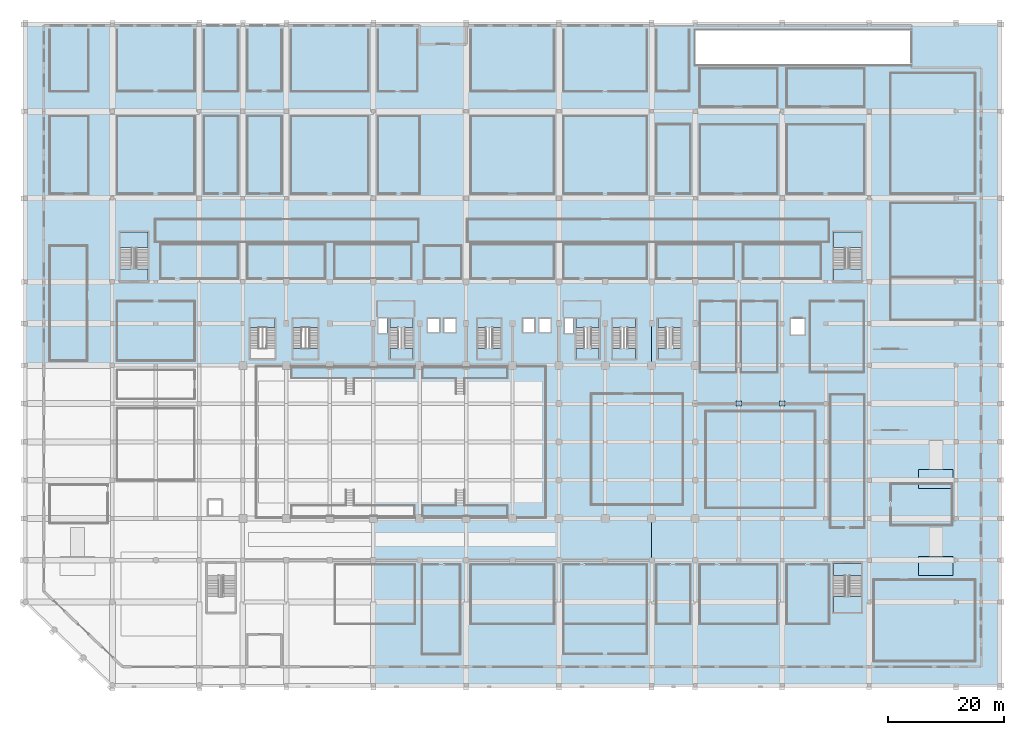
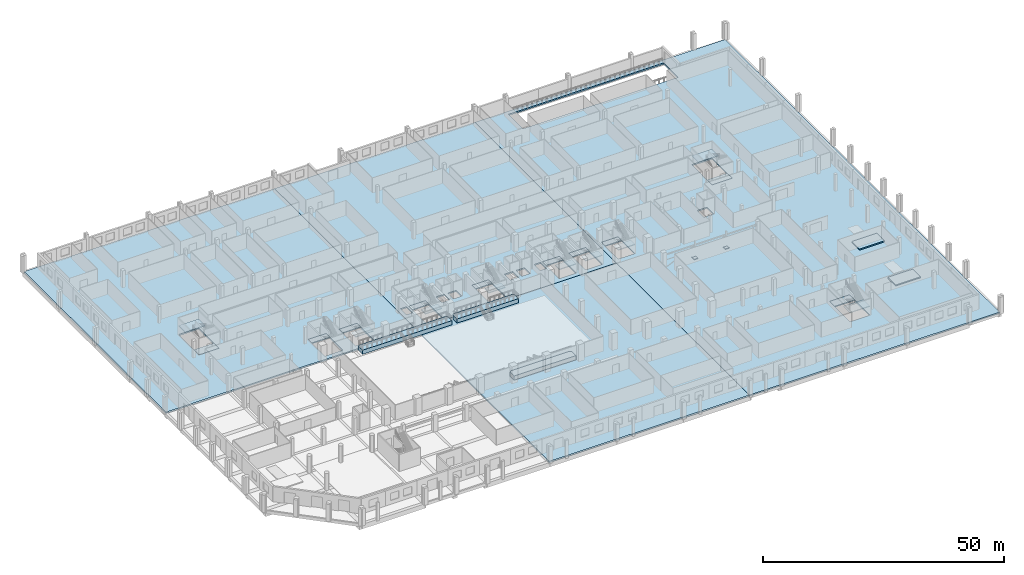
# One storey, part 9 of 33: 28 slabs, 2 plates, 9 elements without a shape of their own.
"""IFC4 building model written with IfcOpenShell, lengths in metres."""

from ifc_helpers import new_model, si_unit, direction, frame, origin, origin_2d, place, context, subcontext, project, spatial, polyline, rectangle, outline, extrude, material, layer, layer_set, type_object, element, aggregate, save


model = new_model("IFC4")

# Units and contexts
model_context = context("Model", 3, precision=1e-05, world=origin(), true_north=direction((0.0, 1.0)))
body_context = subcontext(model_context, "Body", "Model", "MODEL_VIEW")
ifc_project = project(units=[si_unit("LENGTHUNIT", "METRE"), si_unit("AREAUNIT", "SQUARE_METRE"), si_unit("VOLUMEUNIT", "CUBIC_METRE"), si_unit("PLANEANGLEUNIT", "RADIAN"), si_unit("MASSUNIT", "GRAM", prefix="KILO")], contexts=[model_context])

# Site, building, storey
site_placement = place(None, origin())
site = spatial("IfcSite", under=ifc_project, at=site_placement, CompositionType="ELEMENT")
building_placement = place(site_placement, origin())
building = spatial("IfcBuilding", under=site, at=building_placement, Name="Akrevak Sports Hall", CompositionType="ELEMENT")
storey_placement = place(building_placement, origin())
storey = spatial("IfcBuildingStorey", under=building, at=storey_placement, Name="L00", CompositionType="ELEMENT", Elevation=0.0)

# Plates
ifc_material_1 = material(Name="Steel S355", Category="steel")
ifc_layer_1 = layer(ifc_material_1, 0.044921875, Name="Steel S355")
ifc_layer_set_1 = layer_set([ifc_layer_1], Name="Steel S355")
plate_type = type_object("IfcPlateType", Name="STR-PLT-BASE-45", PredefinedType="SHEET", material=ifc_layer_set_1)
for number, where, z_axis, x_axis, name in (
    (1, (123.0, 48.60009765625, 0.0), (0.0, 0.0, 1.0), (1.0, 0.0, 0.0), "Climbing Column Base Plate PL-B1-1"),
    (2, (130.5, 48.60009765625, 0.0), (0.0, 0.0, 1.0), (1.0, 0.0, 0.0), "Climbing Column Base Plate PL-B1-2"),
):
    element("IfcPlate", number, at=place(storey_placement, frame(where, z_axis=z_axis, x_axis=x_axis)), inside=storey, type_object=plate_type, Name=name, PredefinedType="SHEET", context=body_context, shape_type="SweptSolid", body=[
        extrude(rectangle(XDim=0.89990234375, YDim=0.89990234375, at=origin_2d()), origin(), (0.0, 0.0, 1.0), 0.044921875),
    ])

# Slabs
ifc_material_2 = material(Name="Concrete C40/50", Category="concrete")
ifc_layer_2 = layer(ifc_material_2, 0.280029296875, Name="Concrete C40/50")
ifc_layer_set_2 = layer_set([ifc_layer_2], Name="Concrete C40/50")
slab_type_1 = type_object("IfcSlabType", Name="STR-SLB-FLR-280", PredefinedType="FLOOR", material=ifc_layer_set_2)
slab_1_placement = place(storey_placement, origin())
element("IfcSlab", 3, at=slab_1_placement, inside=storey, type_object=slab_type_1, Name="East Concourse Accessible Viewing Platform 2", PredefinedType="FLOOR", context=body_context, shape_type="SweptSolid", body=[
    extrude(outline(polyline([(154.0, 19.0), (160.0, 19.0), (160.0, 22.199951171875), (154.0, 22.199951171875), (154.0, 19.0)])), origin(), (0.0, 0.0, 1.0), 0.280029296875),
])
slab_2_placement = place(storey_placement, origin())
element("IfcSlab", 4, at=slab_2_placement, inside=storey, type_object=slab_type_1, Name="Climbing Concourse Accessible Viewing Platform 3", PredefinedType="FLOOR", context=body_context, shape_type="SweptSolid", body=[
    extrude(outline(polyline([(154.0, 34.0), (160.0, 34.0), (160.0, 37.199951171875), (154.0, 37.199951171875), (154.0, 34.0)])), origin(), (0.0, 0.0, 1.0), 0.280029296875),
])
ifc_layer_3 = layer(ifc_material_2, 0.35009765625, Name="Concrete C40/50")
ifc_layer_set_3 = layer_set([ifc_layer_3], Name="Concrete C40/50")
slab_type_2 = type_object("IfcSlabType", Name="STR-SLB-FLR-350", PredefinedType="FLOOR", material=ifc_layer_set_3)
slab_3_placement = place(storey_placement, frame((0.0, 0.0, -0.35009765625)))
element("IfcSlab", 5, at=slab_3_placement, inside=storey, type_object=slab_type_2, Name="Structural Floor Slab L00-2.1", PredefinedType="FLOOR", context=body_context, shape_type="SweptSolid", body=[
    extrude(outline(polyline([(0.0, 55.199951171875), (60.0, 55.199951171875), (60.0, 114.0), (0.0, 114.0), (0.0, 55.199951171875)]), holes=[polyline([(43.050048828125, 63.25), (43.050048828125, 56.300048828125), (38.75, 56.300048828125), (38.75, 63.25), (43.050048828125, 63.25)]), polyline([(50.449951171875, 56.300048828125), (46.14990234375, 56.300048828125), (46.14990234375, 63.25), (50.449951171875, 63.25), (50.449951171875, 56.300048828125)]), polyline([(21.14990234375, 69.75), (16.35009765625, 69.75), (16.35009765625, 78.199951171875), (21.14990234375, 78.199951171875), (21.14990234375, 69.75)])]), origin(), (0.0, 0.0, 1.0), 0.35009765625),
])
slab_4_placement = place(storey_placement, frame((0.0, 0.0, -0.35009765625)))
element("IfcSlab", 6, at=slab_4_placement, inside=storey, type_object=slab_type_2, Name="Structural Floor Slab L00-3.1", PredefinedType="FLOOR", context=body_context, shape_type="SweptSolid", body=[
    extrude(outline(polyline([(108.0, 0.0), (108.0, 55.199951171875), (60.0, 55.199951171875), (60.0, 0.0), (108.0, 0.0)])), origin(), (0.0, 0.0, 1.0), 0.35009765625),
])
slab_5_placement = place(storey_placement, frame((0.0, 0.0, -0.35009765625)))
element("IfcSlab", 7, at=slab_5_placement, inside=storey, type_object=slab_type_2, Name="Structural Floor Slab L00-4.1", PredefinedType="FLOOR", context=body_context, shape_type="SweptSolid", body=[
    extrude(outline(polyline([(60.0, 114.0), (60.0, 55.199951171875), (108.0, 55.199951171875), (108.0, 114.0), (60.0, 114.0)]), holes=[polyline([(66.85009765625, 56.300048828125), (62.85009765625, 56.300048828125), (62.85009765625, 63.25), (66.85009765625, 63.25), (66.85009765625, 56.300048828125)]), polyline([(82.0, 63.25), (82.0, 56.300048828125), (78.0, 56.300048828125), (78.0, 63.25), (82.0, 63.25)]), polyline([(62.3798828125, 63.280029296875), (62.3798828125, 60.77001953125), (60.8701171875, 60.77001953125), (60.8701171875, 63.280029296875), (62.3798828125, 63.280029296875)]), polyline([(71.3798828125, 63.280029296875), (71.3798828125, 60.919921875), (69.419921875, 60.919921875), (69.419921875, 63.280029296875), (71.3798828125, 63.280029296875)]), polyline([(74.179931640625, 60.919921875), (72.219970703125, 60.919921875), (72.219970703125, 63.280029296875), (74.179931640625, 63.280029296875), (74.179931640625, 60.919921875)]), polyline([(98.949951171875, 63.25), (98.949951171875, 56.300048828125), (94.949951171875, 56.300048828125), (94.949951171875, 63.25), (98.949951171875, 63.25)]), polyline([(105.25, 63.25), (105.25, 56.300048828125), (101.25, 56.300048828125), (101.25, 63.25), (105.25, 63.25)]), polyline([(94.47998046875, 63.280029296875), (94.47998046875, 60.77001953125), (92.969970703125, 60.77001953125), (92.969970703125, 63.280029296875), (94.47998046875, 63.280029296875)]), polyline([(87.780029296875, 63.280029296875), (87.780029296875, 60.919921875), (85.820068359375, 60.919921875), (85.820068359375, 63.280029296875), (87.780029296875, 63.280029296875)]), polyline([(90.580078125, 63.280029296875), (90.580078125, 60.919921875), (88.6201171875, 60.919921875), (88.6201171875, 63.280029296875), (90.580078125, 63.280029296875)])]), origin(), (0.0, 0.0, 1.0), 0.35009765625),
])
slab_6_placement = place(storey_placement, frame((0.0, 0.0, -0.35009765625)))
element("IfcSlab", 8, at=slab_6_placement, inside=storey, type_object=slab_type_2, Name="Structural Floor Slab L00-5.1", PredefinedType="FLOOR", context=body_context, shape_type="SweptSolid", body=[
    extrude(outline(polyline([(108.0, 114.0), (108.0, 0.0), (168.0, 0.0), (168.0, 114.0), (108.0, 114.0)]), holes=[polyline([(144.14990234375, 21.050048828125), (144.14990234375, 12.60009765625), (139.35009765625, 12.60009765625), (139.35009765625, 21.050048828125), (144.14990234375, 21.050048828125)]), polyline([(113.050048828125, 56.300048828125), (109.050048828125, 56.300048828125), (109.050048828125, 63.25), (113.050048828125, 63.25), (113.050048828125, 56.300048828125)]), polyline([(134.3798828125, 60.52001953125), (132.02001953125, 60.52001953125), (132.02001953125, 63.280029296875), (134.3798828125, 63.280029296875), (134.3798828125, 60.52001953125)]), polyline([(144.14990234375, 69.75), (139.35009765625, 69.75), (139.35009765625, 78.199951171875), (144.14990234375, 78.199951171875), (144.14990234375, 69.75)]), polyline([(152.64990234375, 107.0), (115.5, 107.0), (115.5, 113.0), (152.64990234375, 113.0), (152.64990234375, 107.0)])]), origin(), (0.0, 0.0, 1.0), 0.35009765625),
])

# Stair, slab
stair_type_1 = type_object("IfcStairType", Name="ARC-STR-DOG-460", PredefinedType="HALF_TURN_STAIR", material=ifc_material_2)
stair_1_placement = place(storey_placement, origin())
stair_1 = element("IfcStair", 9, at=stair_1_placement, inside=storey, type_object=stair_type_1, Name="Protected Exit Stair ST1 (L00 to L01)", PredefinedType="HALF_TURN_STAIR")
ifc_layer_4 = layer(ifc_material_2, 0.199951171875, Name="Concrete C40/50")
ifc_layer_set_4 = layer_set([ifc_layer_4], Name="Concrete C40/50")
slab_type_3 = type_object("IfcSlabType", Name="STR-SLB-LAND-200", PredefinedType="LANDING", material=ifc_layer_set_4)
slab_7_placement = place(storey_placement, frame((0.0, 0.0, 2.10009765625)))
slab_7 = element("IfcSlab", 10, at=slab_7_placement, type_object=slab_type_3, Name="Stair ST1 Half-Landing 1 (L00)", PredefinedType="LANDING", context=body_context, shape_type="SweptSolid", body=[
    extrude(outline(polyline([(62.85009765625, 56.300048828125), (66.85009765625, 56.300048828125), (66.85009765625, 58.094970703125), (62.85009765625, 58.094970703125), (62.85009765625, 56.300048828125)])), origin(), (0.0, 0.0, 1.0), 0.199951171875),
])
aggregate(stair_1, [slab_7])

stair_2_placement = place(storey_placement, origin())
stair_2 = element("IfcStair", 11, at=stair_2_placement, inside=storey, type_object=stair_type_1, Name="Protected Exit Stair ST2 (L00 to L01)", PredefinedType="HALF_TURN_STAIR")
slab_8_placement = place(storey_placement, frame((0.0, 0.0, 2.10009765625)))
slab_8 = element("IfcSlab", 12, at=slab_8_placement, type_object=slab_type_3, Name="Stair ST2 Half-Landing 1 (L00)", PredefinedType="LANDING", context=body_context, shape_type="SweptSolid", body=[
    extrude(outline(polyline([(94.949951171875, 56.300048828125), (98.949951171875, 56.300048828125), (98.949951171875, 58.094970703125), (94.949951171875, 58.094970703125), (94.949951171875, 56.300048828125)])), origin(), (0.0, 0.0, 1.0), 0.199951171875),
])
aggregate(stair_2, [slab_8])

stair_3_placement = place(storey_placement, origin())
stair_3 = element("IfcStair", 13, at=stair_3_placement, inside=storey, type_object=stair_type_1, Name="Protected Exit Stair ST3 (L00 to L01)", PredefinedType="HALF_TURN_STAIR")
slab_9_placement = place(storey_placement, frame((0.0, 0.0, 2.10009765625)))
slab_9 = element("IfcSlab", 14, at=slab_9_placement, type_object=slab_type_3, Name="Stair ST3 Half-Landing 1 (L00)", PredefinedType="LANDING", context=body_context, shape_type="SweptSolid", body=[
    extrude(outline(polyline([(78.0, 56.300048828125), (82.0, 56.300048828125), (82.0, 58.094970703125), (78.0, 58.094970703125), (78.0, 56.300048828125)])), origin(), (0.0, 0.0, 1.0), 0.199951171875),
])
aggregate(stair_3, [slab_9])

stair_type_2 = type_object("IfcStairType", Name="ARC-STR-MDOG-460", PredefinedType="HALF_TURN_STAIR", material=ifc_material_2)
stair_4_placement = place(storey_placement, origin())
stair_4 = element("IfcStair", 15, at=stair_4_placement, inside=storey, type_object=stair_type_2, Name="Protected Exit Stair ST4 (L00 to L01)", PredefinedType="HALF_TURN_STAIR")
slab_10_placement = place(storey_placement, frame((0.0, 0.0, 2.10009765625)))
slab_10 = element("IfcSlab", 16, at=slab_10_placement, type_object=slab_type_3, Name="Stair ST4 Half-Landing 1 (L00)", PredefinedType="LANDING", context=body_context, shape_type="SweptSolid", body=[
    extrude(outline(polyline([(46.14990234375, 56.300048828125), (50.449951171875, 56.300048828125), (50.449951171875, 58.094970703125), (46.14990234375, 58.094970703125), (46.14990234375, 56.300048828125)])), origin(), (0.0, 0.0, 1.0), 0.199951171875),
])
aggregate(stair_4, [slab_10])

stair_type_3 = type_object("IfcStairType", Name="ARC-STR-PDOG-460", PredefinedType="HALF_TURN_STAIR", material=ifc_material_2)
stair_5_placement = place(storey_placement, origin())
stair_5 = element("IfcStair", 17, at=stair_5_placement, inside=storey, type_object=stair_type_3, Name="Podium NW Exit Stair ST6 (L00 to L01)", PredefinedType="HALF_TURN_STAIR")
slab_11_placement = place(storey_placement, frame((0.0, 0.0, 2.10009765625)))
slab_11 = element("IfcSlab", 18, at=slab_11_placement, type_object=slab_type_3, Name="Stair ST6 Half-Landing 1 (L00)", PredefinedType="LANDING", context=body_context, shape_type="SweptSolid", body=[
    extrude(outline(polyline([(16.35009765625, 75.489990234375), (21.14990234375, 75.489990234375), (21.14990234375, 78.199951171875), (16.35009765625, 78.199951171875), (16.35009765625, 75.489990234375)])), origin(), (0.0, 0.0, 1.0), 0.199951171875),
])
aggregate(stair_5, [slab_11])

stair_6_placement = place(storey_placement, origin())
stair_6 = element("IfcStair", 19, at=stair_6_placement, inside=storey, type_object=stair_type_3, Name="Podium SE Exit Stair ST7 (L00 to L01)", PredefinedType="HALF_TURN_STAIR")
slab_12_placement = place(storey_placement, frame((0.0, 0.0, 2.10009765625)))
slab_12 = element("IfcSlab", 20, at=slab_12_placement, type_object=slab_type_3, Name="Stair ST7 Half-Landing 1 (L00)", PredefinedType="LANDING", context=body_context, shape_type="SweptSolid", body=[
    extrude(outline(polyline([(139.35009765625, 12.60009765625), (144.14990234375, 12.60009765625), (144.14990234375, 15.31005859375), (139.35009765625, 15.31005859375), (139.35009765625, 12.60009765625)])), origin(), (0.0, 0.0, 1.0), 0.199951171875),
])
aggregate(stair_6, [slab_12])

stair_7_placement = place(storey_placement, origin())
stair_7 = element("IfcStair", 21, at=stair_7_placement, inside=storey, type_object=stair_type_3, Name="Podium NE Exit Stair ST8 (L00 to L01)", PredefinedType="HALF_TURN_STAIR")
slab_13_placement = place(storey_placement, frame((0.0, 0.0, 2.10009765625)))
slab_13 = element("IfcSlab", 22, at=slab_13_placement, type_object=slab_type_3, Name="Stair ST8 Half-Landing 1 (L00)", PredefinedType="LANDING", context=body_context, shape_type="SweptSolid", body=[
    extrude(outline(polyline([(139.35009765625, 75.489990234375), (144.14990234375, 75.489990234375), (144.14990234375, 78.199951171875), (139.35009765625, 78.199951171875), (139.35009765625, 75.489990234375)])), origin(), (0.0, 0.0, 1.0), 0.199951171875),
])
aggregate(stair_7, [slab_13])

stair_8_placement = place(storey_placement, origin())
stair_8 = element("IfcStair", 23, at=stair_8_placement, inside=storey, type_object=stair_type_1, Name="East Wing Exit Stair ST10 (L00 to L01)", PredefinedType="HALF_TURN_STAIR")
slab_14_placement = place(storey_placement, frame((0.0, 0.0, 2.10009765625)))
slab_14 = element("IfcSlab", 24, at=slab_14_placement, type_object=slab_type_3, Name="Stair ST10 Half-Landing 1 (L00)", PredefinedType="LANDING", context=body_context, shape_type="SweptSolid", body=[
    extrude(outline(polyline([(101.25, 56.300048828125), (105.25, 56.300048828125), (105.25, 58.094970703125), (101.25, 58.094970703125), (101.25, 56.300048828125)])), origin(), (0.0, 0.0, 1.0), 0.199951171875),
])
aggregate(stair_8, [slab_14])

stair_9_placement = place(storey_placement, origin())
stair_9 = element("IfcStair", 25, at=stair_9_placement, inside=storey, type_object=stair_type_1, Name="East Transfer Exit Stair ST11 (L00 to L01)", PredefinedType="HALF_TURN_STAIR")
slab_15_placement = place(storey_placement, frame((0.0, 0.0, 2.10009765625)))
slab_15 = element("IfcSlab", 26, at=slab_15_placement, type_object=slab_type_3, Name="Stair ST11 Half-Landing 1 (L00)", PredefinedType="LANDING", context=body_context, shape_type="SweptSolid", body=[
    extrude(outline(polyline([(109.050048828125, 56.300048828125), (113.050048828125, 56.300048828125), (113.050048828125, 58.094970703125), (109.050048828125, 58.094970703125), (109.050048828125, 56.300048828125)])), origin(), (0.0, 0.0, 1.0), 0.199951171875),
])
aggregate(stair_9, [slab_15])

# Slabs
ifc_layer_5 = layer(ifc_material_2, 0.219970703125, Name="Concrete C40/50")
ifc_layer_set_5 = layer_set([ifc_layer_5], Name="Concrete C40/50")
slab_type_4 = type_object("IfcSlabType", Name="STR-SLB-LAND-220", PredefinedType="LANDING", material=ifc_layer_set_5)
slab_16_placement = place(storey_placement, frame((0.0, 0.0, -0.219970703125)))
element("IfcSlab", 27, at=slab_16_placement, inside=storey, type_object=slab_type_4, Name="Stair ST1 Floor Landing (L00)", PredefinedType="LANDING", context=body_context, shape_type="SweptSolid", body=[
    extrude(outline(polyline([(62.85009765625, 61.735107421875), (66.85009765625, 61.735107421875), (66.85009765625, 63.25), (62.85009765625, 63.25), (62.85009765625, 61.735107421875)])), origin(), (0.0, 0.0, 1.0), 0.219970703125),
])
slab_17_placement = place(storey_placement, frame((0.0, 0.0, -0.219970703125)))
element("IfcSlab", 28, at=slab_17_placement, inside=storey, type_object=slab_type_4, Name="Stair ST2 Floor Landing (L00)", PredefinedType="LANDING", context=body_context, shape_type="SweptSolid", body=[
    extrude(outline(polyline([(94.949951171875, 61.735107421875), (98.949951171875, 61.735107421875), (98.949951171875, 63.25), (94.949951171875, 63.25), (94.949951171875, 61.735107421875)])), origin(), (0.0, 0.0, 1.0), 0.219970703125),
])
slab_18_placement = place(storey_placement, frame((0.0, 0.0, -0.219970703125)))
element("IfcSlab", 29, at=slab_18_placement, inside=storey, type_object=slab_type_4, Name="Stair ST3 Floor Landing (L00)", PredefinedType="LANDING", context=body_context, shape_type="SweptSolid", body=[
    extrude(outline(polyline([(78.0, 61.735107421875), (82.0, 61.735107421875), (82.0, 63.25), (78.0, 63.25), (78.0, 61.735107421875)])), origin(), (0.0, 0.0, 1.0), 0.219970703125),
])
slab_19_placement = place(storey_placement, frame((0.0, 0.0, -0.219970703125)))
element("IfcSlab", 30, at=slab_19_placement, inside=storey, type_object=slab_type_4, Name="Stair ST4 Floor Landing (L00)", PredefinedType="LANDING", context=body_context, shape_type="SweptSolid", body=[
    extrude(outline(polyline([(46.14990234375, 61.735107421875), (50.449951171875, 61.735107421875), (50.449951171875, 63.25), (46.14990234375, 63.25), (46.14990234375, 61.735107421875)])), origin(), (0.0, 0.0, 1.0), 0.219970703125),
])
slab_20_placement = place(storey_placement, frame((0.0, 0.0, -0.219970703125)))
element("IfcSlab", 31, at=slab_20_placement, inside=storey, type_object=slab_type_4, Name="Stair ST6 Floor Landing (L00)", PredefinedType="LANDING", context=body_context, shape_type="SweptSolid", body=[
    extrude(outline(polyline([(16.35009765625, 69.75), (21.14990234375, 69.75), (21.14990234375, 71.85009765625), (16.35009765625, 71.85009765625), (16.35009765625, 69.75)])), origin(), (0.0, 0.0, 1.0), 0.219970703125),
])
slab_21_placement = place(storey_placement, frame((0.0, 0.0, -0.219970703125)))
element("IfcSlab", 32, at=slab_21_placement, inside=storey, type_object=slab_type_4, Name="Stair ST7 Floor Landing (L00)", PredefinedType="LANDING", context=body_context, shape_type="SweptSolid", body=[
    extrude(outline(polyline([(139.35009765625, 18.949951171875), (144.14990234375, 18.949951171875), (144.14990234375, 21.050048828125), (139.35009765625, 21.050048828125), (139.35009765625, 18.949951171875)])), origin(), (0.0, 0.0, 1.0), 0.219970703125),
])
slab_22_placement = place(storey_placement, frame((0.0, 0.0, -0.219970703125)))
element("IfcSlab", 33, at=slab_22_placement, inside=storey, type_object=slab_type_4, Name="Stair ST8 Floor Landing (L00)", PredefinedType="LANDING", context=body_context, shape_type="SweptSolid", body=[
    extrude(outline(polyline([(139.35009765625, 69.75), (144.14990234375, 69.75), (144.14990234375, 71.85009765625), (139.35009765625, 71.85009765625), (139.35009765625, 69.75)])), origin(), (0.0, 0.0, 1.0), 0.219970703125),
])
slab_23_placement = place(storey_placement, frame((0.0, 0.0, -0.219970703125)))
element("IfcSlab", 34, at=slab_23_placement, inside=storey, type_object=slab_type_4, Name="Stair ST9 Floor Landing (L00)", PredefinedType="LANDING", context=body_context, shape_type="SweptSolid", body=[
    extrude(outline(polyline([(38.75, 61.735107421875), (43.050048828125, 61.735107421875), (43.050048828125, 63.25), (38.75, 63.25), (38.75, 61.735107421875)])), origin(), (0.0, 0.0, 1.0), 0.219970703125),
])
slab_24_placement = place(storey_placement, frame((0.0, 0.0, -0.219970703125)))
element("IfcSlab", 35, at=slab_24_placement, inside=storey, type_object=slab_type_4, Name="Stair ST10 Floor Landing (L00)", PredefinedType="LANDING", context=body_context, shape_type="SweptSolid", body=[
    extrude(outline(polyline([(101.25, 61.735107421875), (105.25, 61.735107421875), (105.25, 63.25), (101.25, 63.25), (101.25, 61.735107421875)])), origin(), (0.0, 0.0, 1.0), 0.219970703125),
])
slab_25_placement = place(storey_placement, frame((0.0, 0.0, -0.219970703125)))
element("IfcSlab", 36, at=slab_25_placement, inside=storey, type_object=slab_type_4, Name="Stair ST11 Floor Landing (L00)", PredefinedType="LANDING", context=body_context, shape_type="SweptSolid", body=[
    extrude(outline(polyline([(109.050048828125, 61.735107421875), (113.050048828125, 61.735107421875), (113.050048828125, 63.25), (109.050048828125, 63.25), (109.050048828125, 61.735107421875)])), origin(), (0.0, 0.0, 1.0), 0.219970703125),
])
ifc_layer_6 = layer(ifc_material_2, 0.18994140625, Name="Concrete C40/50")
ifc_layer_set_6 = layer_set([ifc_layer_6], Name="Concrete C40/50")
slab_type_5 = type_object("IfcSlabType", Name="STR-SLB-TIER-190", PredefinedType="USERDEFINED", material=ifc_layer_set_6)
slab_26_placement = place(storey_placement, origin())
element("IfcSlab", 37, at=slab_26_placement, inside=storey, type_object=slab_type_5, Name="Stand Lower Handball South Bay 2", ObjectType="SEATING TIER", PredefinedType="USERDEFINED", context=body_context, shape_type="SweptSolid", body=[
    extrude(outline(polyline([(68.39990234375, 29.10009765625), (83.199951171875, 29.10009765625), (83.199951171875, 30.75), (82.85009765625, 31.10009765625), (68.75, 31.10009765625), (68.39990234375, 30.75), (68.39990234375, 29.10009765625)])), origin(), (0.0, 0.0, 1.0), 1.050048828125),
])
slab_27_placement = place(storey_placement, origin())
element("IfcSlab", 38, at=slab_27_placement, inside=storey, type_object=slab_type_5, Name="Stand Lower Handball North Bay 1", ObjectType="SEATING TIER", PredefinedType="USERDEFINED", context=body_context, shape_type="SweptSolid", body=[
    extrude(outline(polyline([(45.800048828125, 52.89990234375), (67.199951171875, 52.89990234375), (67.199951171875, 54.550048828125), (66.85009765625, 54.89990234375), (46.14990234375, 54.89990234375), (45.800048828125, 54.550048828125), (45.800048828125, 52.89990234375)])), origin(), (0.0, 0.0, 1.0), 1.050048828125),
])
slab_28_placement = place(storey_placement, origin())
element("IfcSlab", 39, at=slab_28_placement, inside=storey, type_object=slab_type_5, Name="Stand Lower Handball North Bay 2", ObjectType="SEATING TIER", PredefinedType="USERDEFINED", context=body_context, shape_type="SweptSolid", body=[
    extrude(outline(polyline([(68.39990234375, 52.89990234375), (83.199951171875, 52.89990234375), (83.199951171875, 54.550048828125), (82.85009765625, 54.89990234375), (68.75, 54.89990234375), (68.39990234375, 54.550048828125), (68.39990234375, 52.89990234375)])), origin(), (0.0, 0.0, 1.0), 1.050048828125),
])

save(model, "model.ifc")
